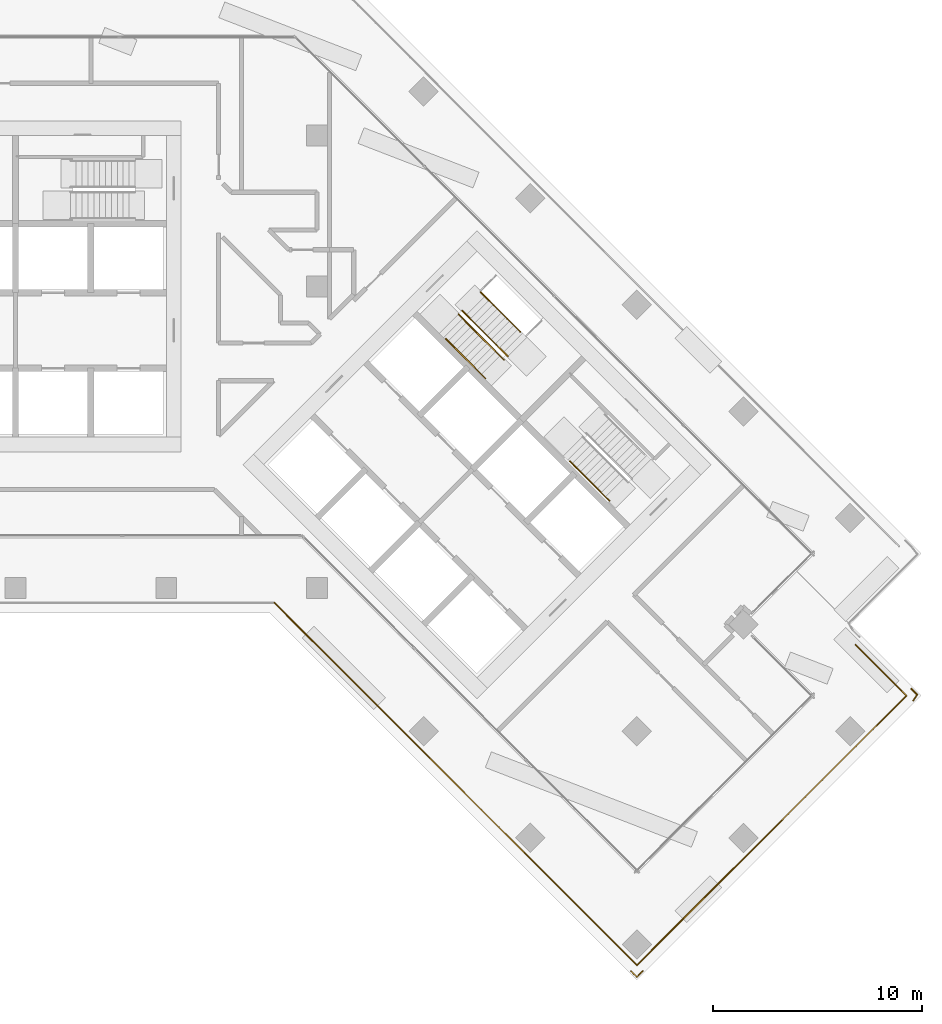
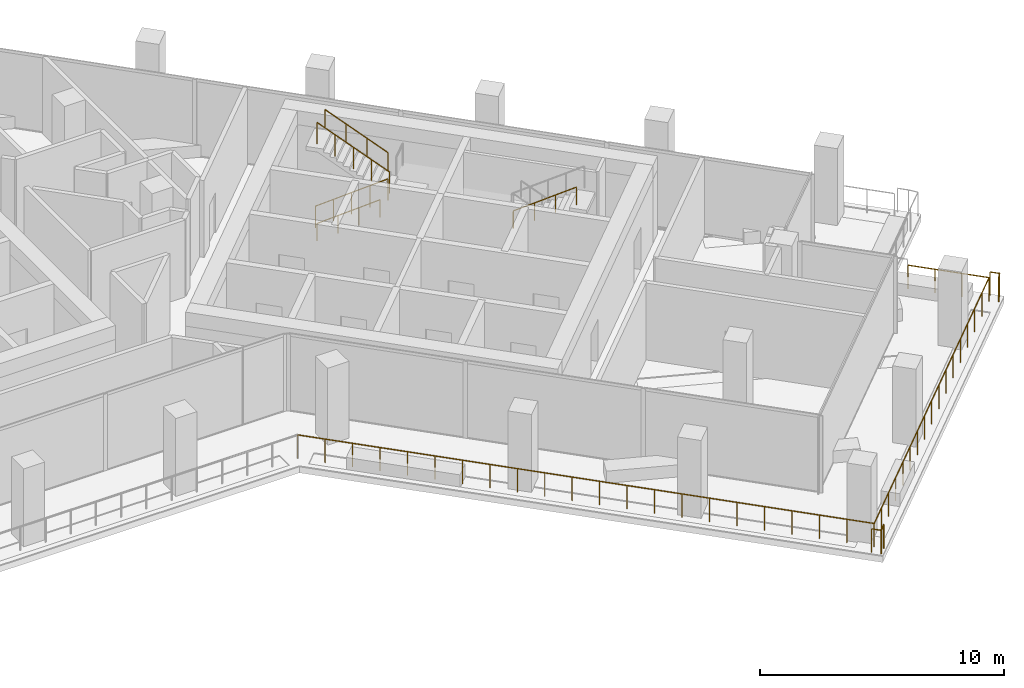
# One storey, part 19 of 21: 12 railings.
"""IFC4 building model written with IfcOpenShell, lengths in metres."""

from ifc_helpers import new_model, si_unit, direction, frame, origin, origin_2d, place, context, subcontext, project, spatial, circle, extrude, material, type_object, element, save


model = new_model("IFC4")

# Units and contexts
model_context = context("Model", 3, precision=1e-05, world=origin(), true_north=direction((0.0, 1.0)))
body_context = subcontext(model_context, "Body", "Model", "MODEL_VIEW")
ifc_project = project(units=[si_unit("LENGTHUNIT", "METRE"), si_unit("AREAUNIT", "SQUARE_METRE"), si_unit("VOLUMEUNIT", "CUBIC_METRE"), si_unit("PLANEANGLEUNIT", "RADIAN"), si_unit("MASSUNIT", "GRAM", prefix="KILO")], contexts=[model_context])

# Site, building, storey
site_placement = place(None, origin())
site = spatial("IfcSite", under=ifc_project, at=site_placement, CompositionType="ELEMENT")
building_placement = place(site_placement, origin())
building = spatial("IfcBuilding", under=site, at=building_placement, Name="Windrow Commons", CompositionType="ELEMENT")
storey_placement = place(building_placement, frame((0.0, 0.0, 131.2)))
storey = spatial("IfcBuildingStorey", under=building, at=storey_placement, Name="L35", CompositionType="ELEMENT", Elevation=131.2)

# Railings
ifc_material_1 = material(Name="Steel S355", Category="steel")
railing_type_1 = type_object("IfcRailingType", Name="Core stair guard 1100", PredefinedType="GUARDRAIL", material=ifc_material_1)
railing_1_placement = place(storey_placement, frame((85.9529, 56.2669, 0.175)))
element("IfcRailing", 1, at=railing_1_placement, inside=storey, type_object=railing_type_1, Name="L35 ST-B1 stair guard 1", PredefinedType="GUARDRAIL", context=body_context, shape_type="SweptSolid", body=[
    extrude(circle(Radius=0.024, at=origin_2d()), frame((0.0, 0.0, 1.076), z_axis=(0.5996262107, -0.5996262107, 0.5299969951), x_axis=(0.7071067812, 0.7071067812, 0.0)), (0.0, 0.0, 1.0), 3.6321),
    extrude(circle(Radius=0.021, at=origin_2d()), origin(), (0.0, 0.0, 1.0), 1.052),
    extrude(circle(Radius=0.021, at=origin_2d()), frame((0.5445, -0.5445, 0.4813)), (0.0, 0.0, 1.0), 1.052),
    extrude(circle(Radius=0.021, at=origin_2d()), frame((1.0889, -1.089, 0.9625)), (0.0, 0.0, 1.0), 1.052),
    extrude(circle(Radius=0.021, at=origin_2d()), frame((1.6334, -1.6334, 1.4438)), (0.0, 0.0, 1.0), 1.052),
    extrude(circle(Radius=0.021, at=origin_2d()), frame((2.1779, -2.1779, 1.925)), (0.0, 0.0, 1.0), 1.052),
])
railing_2_placement = place(storey_placement, frame((88.3075, 54.2658, 2.275)))
element("IfcRailing", 2, at=railing_2_placement, inside=storey, type_object=railing_type_1, Name="L35 ST-B1 stair guard 2", PredefinedType="GUARDRAIL", context=body_context, shape_type="SweptSolid", body=[
    extrude(circle(Radius=0.024, at=origin_2d()), frame((0.0, 0.0, 1.076), z_axis=(-0.5996262107, 0.5996262107, 0.5299969951), x_axis=(-0.7071067812, -0.7071067812, 0.0)), (0.0, 0.0, 1.0), 3.6321),
    extrude(circle(Radius=0.021, at=origin_2d()), origin(), (0.0, 0.0, 1.0), 1.052),
    extrude(circle(Radius=0.021, at=origin_2d()), frame((-0.5445, 0.5445, 0.4813)), (0.0, 0.0, 1.0), 1.052),
    extrude(circle(Radius=0.021, at=origin_2d()), frame((-1.089, 1.089, 0.9625)), (0.0, 0.0, 1.0), 1.052),
    extrude(circle(Radius=0.021, at=origin_2d()), frame((-1.6334, 1.6334, 1.4438)), (0.0, 0.0, 1.0), 1.052),
    extrude(circle(Radius=0.021, at=origin_2d()), frame((-2.1779, 2.1779, 1.925)), (0.0, 0.0, 1.0), 1.052),
])
ifc_material_2 = material(Name="Steel S355", Category="steel")
railing_type_2 = type_object("IfcRailingType", Name="Core stair handrail 900", PredefinedType="HANDRAIL", material=ifc_material_2)
railing_3_placement = place(storey_placement, frame((85.3518, 55.1001, 0.425)))
element("IfcRailing", 3, at=railing_3_placement, inside=storey, type_object=railing_type_2, Name="L35 ST-B1 stair handrail 1", PredefinedType="HANDRAIL", context=body_context, shape_type="SweptSolid", body=[
    extrude(circle(Radius=0.024, at=origin_2d()), frame((0.0, 0.0, 0.876), z_axis=(0.599641512, -0.5996098703, 0.5299981703), x_axis=(0.7070881243, 0.7071254376, 0.0)), (0.0, 0.0, 1.0), 3.1604),
    extrude(circle(Radius=0.021, at=origin_2d()), origin(), (0.0, 0.0, 1.0), 0.852),
    extrude(circle(Radius=0.021, at=origin_2d()), frame((0.6317, -0.6317, 0.5583)), (0.0, 0.0, 1.0), 0.852),
    extrude(circle(Radius=0.021, at=origin_2d()), frame((1.2634, -1.2633, 1.1167)), (0.0, 0.0, 1.0), 0.852),
    extrude(circle(Radius=0.021, at=origin_2d()), frame((1.8951, -1.895, 1.675)), (0.0, 0.0, 1.0), 0.852),
])
railing_4_placement = place(storey_placement, frame((88.9086, 55.4325, 2.525)))
element("IfcRailing", 4, at=railing_4_placement, inside=storey, type_object=railing_type_2, Name="L35 ST-B1 stair handrail 2", PredefinedType="HANDRAIL", context=body_context, shape_type="SweptSolid", body=[
    extrude(circle(Radius=0.024, at=origin_2d()), frame((0.0, 0.0, 0.876), z_axis=(-0.599641512, 0.5996098703, 0.5299981703), x_axis=(-0.7070881243, -0.7071254376, 0.0)), (0.0, 0.0, 1.0), 3.1604),
    extrude(circle(Radius=0.021, at=origin_2d()), origin(), (0.0, 0.0, 1.0), 0.852),
    extrude(circle(Radius=0.021, at=origin_2d()), frame((-0.6317, 0.6317, 0.5583)), (0.0, 0.0, 1.0), 0.852),
    extrude(circle(Radius=0.021, at=origin_2d()), frame((-1.2634, 1.2633, 1.1167)), (0.0, 0.0, 1.0), 0.852),
    extrude(circle(Radius=0.021, at=origin_2d()), frame((-1.8951, 1.895, 1.675)), (0.0, 0.0, 1.0), 0.852),
])
railing_5_placement = place(storey_placement, frame((91.2738, 49.2559, 2.525)))
element("IfcRailing", 5, at=railing_5_placement, inside=storey, type_object=railing_type_2, Name="L35 ST-B2 stair handrail 2", PredefinedType="HANDRAIL", context=body_context, shape_type="SweptSolid", body=[
    extrude(circle(Radius=0.024, at=origin_2d()), frame((0.0, 0.0, 0.876), z_axis=(0.599641512, -0.5996098703, 0.5299981703), x_axis=(0.7070881243, 0.7071254376, 0.0)), (0.0, 0.0, 1.0), 3.1604),
    extrude(circle(Radius=0.021, at=origin_2d()), origin(), (0.0, 0.0, 1.0), 0.852),
    extrude(circle(Radius=0.021, at=origin_2d()), frame((0.6317, -0.6317, 0.5583)), (0.0, 0.0, 1.0), 0.852),
    extrude(circle(Radius=0.021, at=origin_2d()), frame((1.2634, -1.2633, 1.1167)), (0.0, 0.0, 1.0), 0.852),
    extrude(circle(Radius=0.021, at=origin_2d()), frame((1.8951, -1.895, 1.675)), (0.0, 0.0, 1.0), 0.852),
])
ifc_material_3 = material(Name="Stainless steel S316 balustrade with toughened glass infill", Category="steel")
railing_type_3 = type_object("IfcRailingType", Name="Terrace guard 1200 podium", PredefinedType="BALUSTRADE", material=ifc_material_3)
railing_6_placement = place(storey_placement, frame((104.9138, 40.488, 0.05)))
element("IfcRailing", 6, at=railing_6_placement, inside=storey, type_object=railing_type_3, Name="Guard TR-L35-1.E11", PredefinedType="BALUSTRADE", context=body_context, shape_type="SweptSolid", body=[
    extrude(circle(Radius=0.025, at=origin_2d()), frame((0.0, 0.0, 1.175), z_axis=(0.7071067812, -0.7071067812, 0.0), x_axis=(0.7071067812, 0.7071067812, 0.0)), (0.0, 0.0, 1.0), 3.4353),
    extrude(circle(Radius=0.02, at=origin_2d()), origin(), (0.0, 0.0, 1.0), 1.15),
    extrude(circle(Radius=0.02, at=origin_2d()), frame((0.8097, -0.8097, 0.0)), (0.0, 0.0, 1.0), 1.15),
    extrude(circle(Radius=0.02, at=origin_2d()), frame((1.6194, -1.6194, 0.0)), (0.0, 0.0, 1.0), 1.15),
    extrude(circle(Radius=0.02, at=origin_2d()), frame((2.4291, -2.4291, 0.0)), (0.0, 0.0, 1.0), 1.15),
])
railing_7_placement = place(storey_placement, frame((107.3429, 38.0589, 0.05)))
element("IfcRailing", 7, at=railing_7_placement, inside=storey, type_object=railing_type_3, Name="Guard TR-L35-1.E12", PredefinedType="BALUSTRADE", context=body_context, shape_type="SweptSolid", body=[
    extrude(circle(Radius=0.025, at=origin_2d()), frame((0.0, 0.0, 1.175), z_axis=(-0.7071067812, -0.7071067812, 0.0), x_axis=(0.7071067812, -0.7071067812, 0.0)), (0.0, 0.0, 1.0), 18.2001),
    extrude(circle(Radius=0.02, at=origin_2d()), origin(), (0.0, 0.0, 1.0), 1.15),
    extrude(circle(Radius=0.02, at=origin_2d()), frame((-0.8043, -0.8043, 0.0)), (0.0, 0.0, 1.0), 1.15),
    extrude(circle(Radius=0.02, at=origin_2d()), frame((-1.6087, -1.6087, 0.0)), (0.0, 0.0, 1.0), 1.15),
    extrude(circle(Radius=0.02, at=origin_2d()), frame((-2.413, -2.413, 0.0)), (0.0, 0.0, 1.0), 1.15),
    extrude(circle(Radius=0.02, at=origin_2d()), frame((-3.2173, -3.2174, 0.0)), (0.0, 0.0, 1.0), 1.15),
    extrude(circle(Radius=0.02, at=origin_2d()), frame((-4.0217, -4.0217, 0.0)), (0.0, 0.0, 1.0), 1.15),
    extrude(circle(Radius=0.02, at=origin_2d()), frame((-4.826, -4.826, 0.0)), (0.0, 0.0, 1.0), 1.15),
    extrude(circle(Radius=0.02, at=origin_2d()), frame((-5.6304, -5.6304, 0.0)), (0.0, 0.0, 1.0), 1.15),
    extrude(circle(Radius=0.02, at=origin_2d()), frame((-6.4347, -6.4347, 0.0)), (0.0, 0.0, 1.0), 1.15),
    extrude(circle(Radius=0.02, at=origin_2d()), frame((-7.239, -7.239, 0.0)), (0.0, 0.0, 1.0), 1.15),
    extrude(circle(Radius=0.02, at=origin_2d()), frame((-8.0434, -8.0434, 0.0)), (0.0, 0.0, 1.0), 1.15),
    extrude(circle(Radius=0.02, at=origin_2d()), frame((-8.8477, -8.8477, 0.0)), (0.0, 0.0, 1.0), 1.15),
    extrude(circle(Radius=0.02, at=origin_2d()), frame((-9.652, -9.6521, 0.0)), (0.0, 0.0, 1.0), 1.15),
    extrude(circle(Radius=0.02, at=origin_2d()), frame((-10.4564, -10.4564, 0.0)), (0.0, 0.0, 1.0), 1.15),
    extrude(circle(Radius=0.02, at=origin_2d()), frame((-11.2607, -11.2607, 0.0)), (0.0, 0.0, 1.0), 1.15),
    extrude(circle(Radius=0.02, at=origin_2d()), frame((-12.0651, -12.0651, 0.0)), (0.0, 0.0, 1.0), 1.15),
    extrude(circle(Radius=0.02, at=origin_2d()), frame((-12.8694, -12.8694, 0.0)), (0.0, 0.0, 1.0), 1.15),
])
railing_8_placement = place(storey_placement, frame((94.4735, 25.1895, 0.05)))
element("IfcRailing", 8, at=railing_8_placement, inside=storey, type_object=railing_type_3, Name="Guard TR-L35-1.E13", PredefinedType="BALUSTRADE", context=body_context, shape_type="SweptSolid", body=[
    extrude(circle(Radius=0.025, at=origin_2d()), frame((0.0, 0.0, 1.175), z_axis=(-0.7071067812, 0.7071067812, 0.0), x_axis=(-0.7071067812, -0.7071067812, 0.0)), (0.0, 0.0, 1.0), 24.4807),
    extrude(circle(Radius=0.02, at=origin_2d()), origin(), (0.0, 0.0, 1.0), 1.15),
    extrude(circle(Radius=0.02, at=origin_2d()), frame((-0.8243, 0.8243, 0.0)), (0.0, 0.0, 1.0), 1.15),
    extrude(circle(Radius=0.02, at=origin_2d()), frame((-1.6486, 1.6486, 0.0)), (0.0, 0.0, 1.0), 1.15),
    extrude(circle(Radius=0.02, at=origin_2d()), frame((-2.4729, 2.4729, 0.0)), (0.0, 0.0, 1.0), 1.15),
    extrude(circle(Radius=0.02, at=origin_2d()), frame((-3.2972, 3.2972, 0.0)), (0.0, 0.0, 1.0), 1.15),
    extrude(circle(Radius=0.02, at=origin_2d()), frame((-4.1215, 4.1215, 0.0)), (0.0, 0.0, 1.0), 1.15),
    extrude(circle(Radius=0.02, at=origin_2d()), frame((-4.9459, 4.9459, 0.0)), (0.0, 0.0, 1.0), 1.15),
    extrude(circle(Radius=0.02, at=origin_2d()), frame((-5.7702, 5.7702, 0.0)), (0.0, 0.0, 1.0), 1.15),
    extrude(circle(Radius=0.02, at=origin_2d()), frame((-6.5945, 6.5945, 0.0)), (0.0, 0.0, 1.0), 1.15),
    extrude(circle(Radius=0.02, at=origin_2d()), frame((-7.4188, 7.4188, 0.0)), (0.0, 0.0, 1.0), 1.15),
    extrude(circle(Radius=0.02, at=origin_2d()), frame((-8.2431, 8.2431, 0.0)), (0.0, 0.0, 1.0), 1.15),
    extrude(circle(Radius=0.02, at=origin_2d()), frame((-9.0674, 9.0674, 0.0)), (0.0, 0.0, 1.0), 1.15),
    extrude(circle(Radius=0.02, at=origin_2d()), frame((-9.8917, 9.8917, 0.0)), (0.0, 0.0, 1.0), 1.15),
    extrude(circle(Radius=0.02, at=origin_2d()), frame((-10.716, 10.716, 0.0)), (0.0, 0.0, 1.0), 1.15),
    extrude(circle(Radius=0.02, at=origin_2d()), frame((-11.5403, 11.5403, 0.0)), (0.0, 0.0, 1.0), 1.15),
    extrude(circle(Radius=0.02, at=origin_2d()), frame((-12.3646, 12.3646, 0.0)), (0.0, 0.0, 1.0), 1.15),
    extrude(circle(Radius=0.02, at=origin_2d()), frame((-13.189, 13.189, 0.0)), (0.0, 0.0, 1.0), 1.15),
    extrude(circle(Radius=0.02, at=origin_2d()), frame((-14.0133, 14.0133, 0.0)), (0.0, 0.0, 1.0), 1.15),
    extrude(circle(Radius=0.02, at=origin_2d()), frame((-14.8376, 14.8376, 0.0)), (0.0, 0.0, 1.0), 1.15),
    extrude(circle(Radius=0.02, at=origin_2d()), frame((-15.6619, 15.6619, 0.0)), (0.0, 0.0, 1.0), 1.15),
    extrude(circle(Radius=0.02, at=origin_2d()), frame((-16.4862, 16.4862, 0.0)), (0.0, 0.0, 1.0), 1.15),
    extrude(circle(Radius=0.02, at=origin_2d()), frame((-17.3105, 17.3105, 0.0)), (0.0, 0.0, 1.0), 1.15),
])
railing_9_placement = place(storey_placement, frame((94.7563, 24.9066, 0.05)))
element("IfcRailing", 9, at=railing_9_placement, inside=storey, type_object=railing_type_3, Name="Guard TR-L35-1.C148", PredefinedType="BALUSTRADE", context=body_context, shape_type="SweptSolid", body=[
    extrude(circle(Radius=0.025, at=origin_2d()), frame((0.0, 0.0, 1.175), z_axis=(-0.7081062239, -0.7061059238, 0.0), x_axis=(0.7061059238, -0.7081062239, 0.0)), (0.0, 0.0, 1.0), 0.3999),
    extrude(circle(Radius=0.02, at=origin_2d()), origin(), (0.0, 0.0, 1.0), 1.15),
    extrude(circle(Radius=0.02, at=origin_2d()), frame((-0.2832, -0.2824, 0.0)), (0.0, 0.0, 1.0), 1.15),
])
railing_10_placement = place(storey_placement, frame((94.4731, 24.6242, 0.05)))
element("IfcRailing", 10, at=railing_10_placement, inside=storey, type_object=railing_type_3, Name="Guard TR-L35-1.C149", PredefinedType="BALUSTRADE", context=body_context, shape_type="SweptSolid", body=[
    extrude(circle(Radius=0.025, at=origin_2d()), frame((0.0, 0.0, 1.175), z_axis=(-0.7071067812, 0.7071067812, 0.0), x_axis=(-0.7071067812, -0.7071067812, 0.0)), (0.0, 0.0, 1.0), 0.4005),
    extrude(circle(Radius=0.02, at=origin_2d()), origin(), (0.0, 0.0, 1.0), 1.15),
    extrude(circle(Radius=0.02, at=origin_2d()), frame((-0.2832, 0.2832, 0.0)), (0.0, 0.0, 1.0), 1.15),
])
railing_11_placement = place(storey_placement, frame((107.5778, 38.3896, 0.05)))
element("IfcRailing", 11, at=railing_11_placement, inside=storey, type_object=railing_type_3, Name="Guard TR-L35-1.C150", PredefinedType="BALUSTRADE", context=body_context, shape_type="SweptSolid", body=[
    extrude(circle(Radius=0.025, at=origin_2d()), frame((0.0, 0.0, 1.175), z_axis=(0.7072316345, -0.7069819058, 0.0), x_axis=(0.7069819058, 0.7072316345, 0.0)), (0.0, 0.0, 1.0), 0.4004),
    extrude(circle(Radius=0.02, at=origin_2d()), origin(), (0.0, 0.0, 1.0), 1.15),
    extrude(circle(Radius=0.02, at=origin_2d()), frame((0.2832, -0.2831, 0.0)), (0.0, 0.0, 1.0), 1.15),
])
railing_12_placement = place(storey_placement, frame((107.861, 38.1065, 0.05)))
element("IfcRailing", 12, at=railing_12_placement, inside=storey, type_object=railing_type_3, Name="Guard TR-L35-1.C151", PredefinedType="BALUSTRADE", context=body_context, shape_type="SweptSolid", body=[
    extrude(circle(Radius=0.025, at=origin_2d()), frame((0.0, 0.0, 1.175), z_axis=(-0.5530697945, -0.8331349245, 0.0), x_axis=(0.8331349245, -0.5530697945, 0.0)), (0.0, 0.0, 1.0), 0.3399),
    extrude(circle(Radius=0.02, at=origin_2d()), origin(), (0.0, 0.0, 1.0), 1.15),
    extrude(circle(Radius=0.02, at=origin_2d()), frame((-0.188, -0.2832, 0.0)), (0.0, 0.0, 1.0), 1.15),
])

save(model, "model.ifc")
